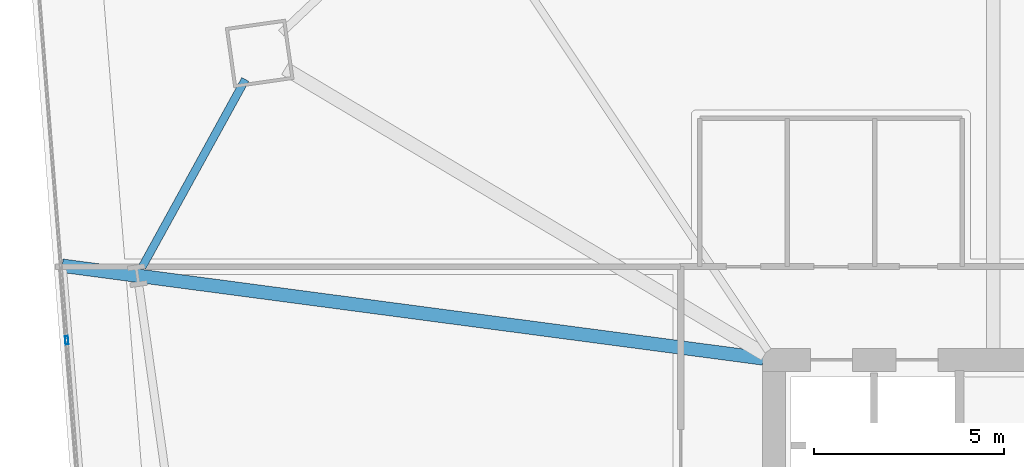
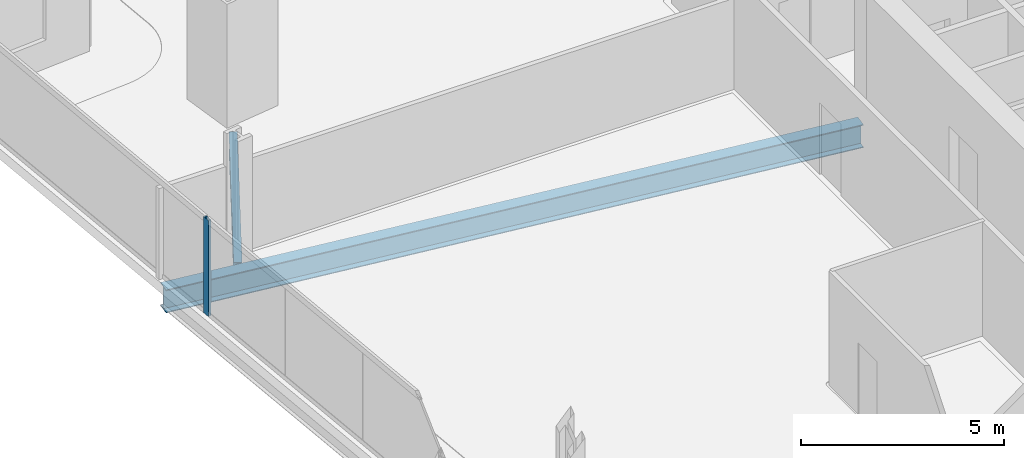
# One storey, part 14 of 33: 2 beams, 1 member, 1 element without a shape of its own.
"""IFC4 building model written with IfcOpenShell, lengths in metres."""

from ifc_helpers import new_model, si_unit, direction, frame, origin, origin_2d, place, context, subcontext, project, spatial, hollow_rectangle, i_section, extrude, material, material_profile, profile_set, type_object, element, aggregate, save


model = new_model("IFC4")

# Units and contexts
model_context = context("Model", 3, precision=1e-05, world=origin(), true_north=direction((0.0, 1.0)))
body_context = subcontext(model_context, "Body", "Model", "MODEL_VIEW")
ifc_project = project(units=[si_unit("LENGTHUNIT", "METRE"), si_unit("AREAUNIT", "SQUARE_METRE"), si_unit("VOLUMEUNIT", "CUBIC_METRE"), si_unit("PLANEANGLEUNIT", "RADIAN"), si_unit("MASSUNIT", "GRAM", prefix="KILO")], contexts=[model_context])

# Site, building, storey
site_placement = place(None, origin())
site = spatial("IfcSite", under=ifc_project, at=site_placement, CompositionType="ELEMENT")
building_placement = place(site_placement, origin())
building = spatial("IfcBuilding", under=site, at=building_placement, Name="Haldenkirk Collegiate Tower", CompositionType="ELEMENT")
storey_placement = place(building_placement, frame((0.0, 0.0, 43.949951171875)))
storey = spatial("IfcBuildingStorey", under=building, at=storey_placement, Name="L09", CompositionType="ELEMENT", Elevation=43.949951171875)

# Beams
ifc_material_1 = material(Name="Steel ASTM A992 Grade 50", Category="steel")
ifc_material_profile_1 = material_profile(ifc_material_1, i_section(OverallWidth=0.35498046875, OverallDepth=0.696044921875, WebThickness=0.015380859375, FlangeThickness=0.02490234375, at=origin_2d()), Name="W27X146")
ifc_profile_set_1 = profile_set([ifc_material_profile_1], Name="Steel ASTM A992 Grade 50")
beam_type_1 = type_object("IfcBeamType", Name="BM-GIRDER-W27X146", PredefinedType="BEAM", material=ifc_profile_set_1)
beam_1_placement = place(storey_placement, frame((8.290771484375, 36.474365234375, -0.657958984375), z_axis=(0.991366919079, -0.131116862973, 0.0), x_axis=(0.131116862973, 0.991366919079, 0.0)))
element("IfcBeam", 1, at=beam_1_placement, inside=storey, type_object=beam_type_1, Name="L09 primary floor girder 14", PredefinedType="BEAM", context=body_context, shape_type="SweptSolid", body=[
    extrude(i_section(OverallWidth=0.35498046875, OverallDepth=0.696044921875, WebThickness=0.015380859375, FlangeThickness=0.02490234375, at=origin_2d()), origin(), (0.0, 0.0, 1.0), 18.592041015625),
])
ifc_material_profile_2 = material_profile(ifc_material_1, i_section(OverallWidth=0.2119140625, OverallDepth=0.5439453125, WebThickness=0.01318359375, FlangeThickness=0.021240234375, at=origin_2d()), Name="W21X83")
ifc_profile_set_2 = profile_set([ifc_material_profile_2], Name="Steel ASTM A992 Grade 50")
beam_type_2 = type_object("IfcBeamType", Name="BM-SPANDREL-W21X83", PredefinedType="SPANDREL", material=ifc_profile_set_2)
beam_2_placement = place(storey_placement, frame((13.10400390625, 41.37109375, -0.58203125), z_axis=(-0.482003753736, -0.876169151126, 0.0), x_axis=(0.876169151126, -0.482003753736, 0.0)))
element("IfcBeam", 2, at=beam_2_placement, inside=storey, type_object=beam_type_2, Name="L09 perimeter spandrel beam 13", PredefinedType="SPANDREL", context=body_context, shape_type="SweptSolid", body=[
    extrude(i_section(OverallWidth=0.2119140625, OverallDepth=0.5439453125, WebThickness=0.01318359375, FlangeThickness=0.021240234375, at=origin_2d()), origin(), (0.0, 0.0, 1.0), 5.622802734375),
])

# Curtain wall, member
ifc_material_2 = material(Name="Anodised architectural bronze aluminium", Category="aluminium")
curtain_wall_type = type_object("IfcCurtainWallType", Name="CW-SYS1-CONVEX-LOW", PredefinedType="USERDEFINED", material=ifc_material_2)
curtain_wall_placement = place(storey_placement, origin())
curtain_wall = element("IfcCurtainWall", 3, at=curtain_wall_placement, inside=storey, type_object=curtain_wall_type, Name="L09 Lower tower convex bronze-framed unitised curtain wall", ObjectType="UNITISED CURTAIN WALL", PredefinedType="USERDEFINED")
ifc_material_profile_3 = material_profile(ifc_material_2, hollow_rectangle(XDim=0.080078125, YDim=0.219970703125, WallThickness=0.0048828125, at=origin_2d()), Name="CW-MUL-1A")
ifc_profile_set_3 = profile_set([ifc_material_profile_3], Name="Anodised architectural bronze aluminium")
member_type = type_object("IfcMemberType", Name="CW-MUL-1A", PredefinedType="MULLION", material=ifc_profile_set_3)
member_placement = place(storey_placement, frame((8.408203125, 34.5146484375, 0.0), z_axis=(0.0, 0.0, 1.0), x_axis=(-0.996778913457, -0.080198489315, 0.0)))
member = element("IfcMember", 4, at=member_placement, type_object=member_type, Name="CW-1A mullion 4", PredefinedType="MULLION", context=body_context, shape_type="SweptSolid", body=[
    extrude(hollow_rectangle(XDim=0.080078125, YDim=0.219970703125, WallThickness=0.0048828125, at=origin_2d()), origin(), (0.0, 0.0, 1.0), 2.89111328125),
])
aggregate(curtain_wall, [member])

save(model, "model.ifc")
